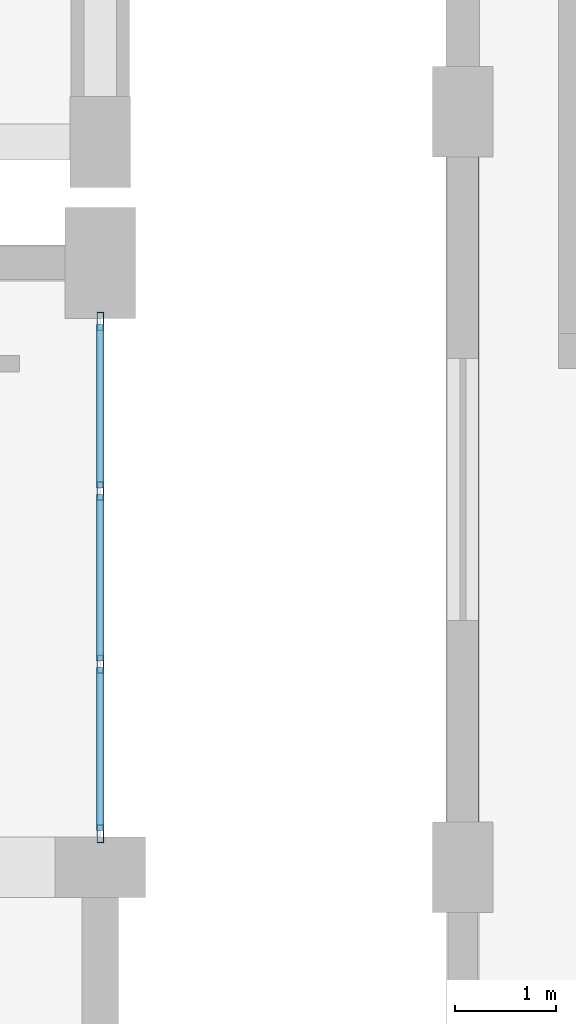
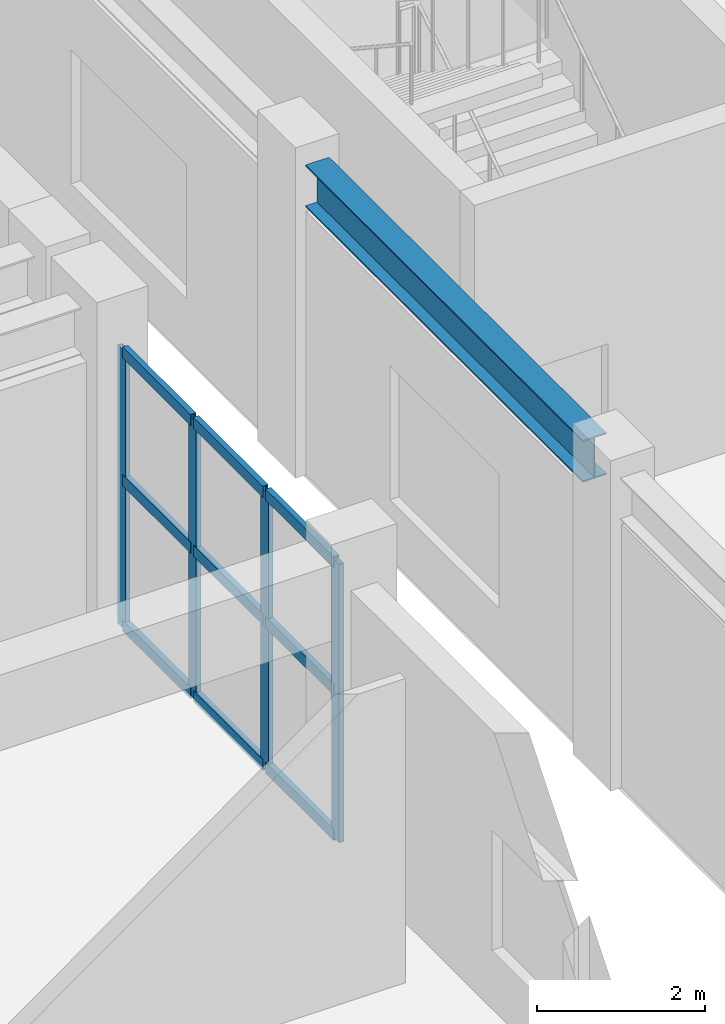
# One storey, part 27 of 62: 13 members, 1 beam, 1 element without a shape of its own.
"""IFC4 building model written with IfcOpenShell, lengths in metres."""

from ifc_helpers import new_model, si_unit, direction, frame, origin, origin_2d, place, context, subcontext, project, spatial, hollow_rectangle, i_section, extrude, material, layer, layer_set, material_profile, profile_set, type_object, element, aggregate, save


model = new_model("IFC4")

# Units and contexts
model_context = context("Model", 3, precision=1e-05, world=origin(), true_north=direction((0.0, 1.0)))
body_context = subcontext(model_context, "Body", "Model", "MODEL_VIEW")
ifc_project = project(units=[si_unit("LENGTHUNIT", "METRE"), si_unit("AREAUNIT", "SQUARE_METRE"), si_unit("VOLUMEUNIT", "CUBIC_METRE"), si_unit("PLANEANGLEUNIT", "RADIAN"), si_unit("MASSUNIT", "GRAM", prefix="KILO")], contexts=[model_context])

# Site, building, storey
site_placement = place(None, origin())
site = spatial("IfcSite", under=ifc_project, at=site_placement, CompositionType="ELEMENT")
building_placement = place(site_placement, origin())
building = spatial("IfcBuilding", under=site, at=building_placement, Name="Vaelkrest Opera House", CompositionType="ELEMENT")
storey_placement = place(building_placement, frame((0.0, 0.0, 19.800048828125)))
storey = spatial("IfcBuildingStorey", under=building, at=storey_placement, Name="L04", CompositionType="ELEMENT", Elevation=19.800048828125)

# Curtain wall, members
ifc_material_1 = material(Name="Dark bronze anodized aluminium", Category="aluminium")
ifc_layer = layer(ifc_material_1, 0.219970703125)
ifc_layer_set = layer_set([ifc_layer], Name="Dark bronze anodized aluminium")
curtain_wall_type = type_object("IfcCurtainWallType", Name="CW05", PredefinedType="NOTDEFINED", material=ifc_layer_set)
curtain_wall_placement = place(storey_placement, origin())
curtain_wall = element("IfcCurtainWall", 1, at=curtain_wall_placement, inside=storey, type_object=curtain_wall_type, Name="Curtain wall CW-L04-064", PredefinedType="NOTDEFINED")
ifc_material_profile_1 = material_profile(ifc_material_1, hollow_rectangle(XDim=0.06494140625, YDim=0.179931640625, WallThickness=0.00390625, at=origin_2d()), Name="CWM65X180")
ifc_profile_set_1 = profile_set([ifc_material_profile_1], Name="Dark bronze anodized aluminium")
member_type_1 = type_object("IfcMemberType", Name="CWM01", PredefinedType="MULLION", material=ifc_profile_set_1)
member_1_placement = place(storey_placement, frame((30.0, 15.619384765625, 0.0), z_axis=(0.0, 0.0, 1.0), x_axis=(1.0, 0.0, 0.0)))
member_1 = element("IfcMember", 2, at=member_1_placement, type_object=member_type_1, Name="CW05 mullion 1", PredefinedType="MULLION", context=body_context, shape_type="SweptSolid", body=[
    extrude(hollow_rectangle(XDim=0.06494140625, YDim=0.179931640625, WallThickness=0.00390625, at=origin_2d()), origin(), (0.0, 0.0, 1.0), 4.04296875),
])
member_2_placement = place(storey_placement, frame((30.0, 13.93408203125, 0.0), z_axis=(0.0, 0.0, 1.0), x_axis=(1.0, 0.0, 0.0)))
member_2 = element("IfcMember", 3, at=member_2_placement, type_object=member_type_1, Name="CW05 mullion 2", PredefinedType="MULLION", context=body_context, shape_type="SweptSolid", body=[
    extrude(hollow_rectangle(XDim=0.06494140625, YDim=0.179931640625, WallThickness=0.00390625, at=origin_2d()), origin(), (0.0, 0.0, 1.0), 4.04296875),
])
member_3_placement = place(storey_placement, frame((30.0, 12.216064453125, 0.0), z_axis=(0.0, 0.0, 1.0), x_axis=(1.0, 0.0, 0.0)))
member_3 = element("IfcMember", 4, at=member_3_placement, type_object=member_type_1, Name="CW05 mullion 3", PredefinedType="MULLION", context=body_context, shape_type="SweptSolid", body=[
    extrude(hollow_rectangle(XDim=0.06494140625, YDim=0.179931640625, WallThickness=0.00390625, at=origin_2d()), origin(), (0.0, 0.0, 1.0), 4.04296875),
])
member_4_placement = place(storey_placement, frame((30.0, 10.530517578125, 0.0), z_axis=(0.0, 0.0, 1.0), x_axis=(1.0, 0.0, 0.0)))
member_4 = element("IfcMember", 5, at=member_4_placement, type_object=member_type_1, Name="CW05 mullion 4", PredefinedType="MULLION", context=body_context, shape_type="SweptSolid", body=[
    extrude(hollow_rectangle(XDim=0.06494140625, YDim=0.179931640625, WallThickness=0.00390625, at=origin_2d()), origin(), (0.0, 0.0, 1.0), 4.04296875),
])
ifc_material_profile_2 = material_profile(ifc_material_1, hollow_rectangle(XDim=0.074951171875, YDim=0.159912109375, WallThickness=0.00439453125, at=origin_2d()), Name="CWT75X160")
ifc_profile_set_2 = profile_set([ifc_material_profile_2], Name="Dark bronze anodized aluminium")
member_type_2 = type_object("IfcMemberType", Name="CWT03", PredefinedType="USERDEFINED", material=ifc_profile_set_2)
member_5_placement = place(storey_placement, frame((30.0, 15.5869140625, 0.037353515625), z_axis=(0.0, -1.0, 0.0), x_axis=(1.0, 0.0, 0.0)))
member_5 = element("IfcMember", 6, at=member_5_placement, type_object=member_type_2, Name="CW05 transom 1.1", ObjectType="TRANSOM", PredefinedType="USERDEFINED", context=body_context, shape_type="SweptSolid", body=[
    extrude(hollow_rectangle(XDim=0.074951171875, YDim=0.159912109375, WallThickness=0.00439453125, at=origin_2d()), origin(), (0.0, 0.0, 1.0), 1.620361328125),
])
member_6_placement = place(storey_placement, frame((30.0, 15.5869140625, 2.14990234375), z_axis=(0.0, -1.0, 0.0), x_axis=(1.0, 0.0, 0.0)))
member_6 = element("IfcMember", 7, at=member_6_placement, type_object=member_type_2, Name="CW05 transom 1.2", ObjectType="TRANSOM", PredefinedType="USERDEFINED", context=body_context, shape_type="SweptSolid", body=[
    extrude(hollow_rectangle(XDim=0.074951171875, YDim=0.159912109375, WallThickness=0.00439453125, at=origin_2d()), origin(), (0.0, 0.0, 1.0), 1.620361328125),
])
member_7_placement = place(storey_placement, frame((30.0, 15.5869140625, 4.00537109375), z_axis=(0.0, -1.0, 0.0), x_axis=(1.0, 0.0, 0.0)))
member_7 = element("IfcMember", 8, at=member_7_placement, type_object=member_type_2, Name="CW05 transom 1.3", ObjectType="TRANSOM", PredefinedType="USERDEFINED", context=body_context, shape_type="SweptSolid", body=[
    extrude(hollow_rectangle(XDim=0.074951171875, YDim=0.159912109375, WallThickness=0.00439453125, at=origin_2d()), origin(), (0.0, 0.0, 1.0), 1.620361328125),
])
member_8_placement = place(storey_placement, frame((30.0, 13.901611328125, 0.037353515625), z_axis=(0.0, -1.0, 0.0), x_axis=(1.0, 0.0, 0.0)))
member_8 = element("IfcMember", 9, at=member_8_placement, type_object=member_type_2, Name="CW05 transom 2.1", ObjectType="TRANSOM", PredefinedType="USERDEFINED", context=body_context, shape_type="SweptSolid", body=[
    extrude(hollow_rectangle(XDim=0.074951171875, YDim=0.159912109375, WallThickness=0.00439453125, at=origin_2d()), origin(), (0.0, 0.0, 1.0), 1.653076171875),
])
member_9_placement = place(storey_placement, frame((30.0, 13.901611328125, 2.14990234375), z_axis=(0.0, -1.0, 0.0), x_axis=(1.0, 0.0, 0.0)))
member_9 = element("IfcMember", 10, at=member_9_placement, type_object=member_type_2, Name="CW05 transom 2.2", ObjectType="TRANSOM", PredefinedType="USERDEFINED", context=body_context, shape_type="SweptSolid", body=[
    extrude(hollow_rectangle(XDim=0.074951171875, YDim=0.159912109375, WallThickness=0.00439453125, at=origin_2d()), origin(), (0.0, 0.0, 1.0), 1.653076171875),
])
member_10_placement = place(storey_placement, frame((30.0, 13.901611328125, 4.00537109375), z_axis=(0.0, -1.0, 0.0), x_axis=(1.0, 0.0, 0.0)))
member_10 = element("IfcMember", 11, at=member_10_placement, type_object=member_type_2, Name="CW05 transom 2.3", ObjectType="TRANSOM", PredefinedType="USERDEFINED", context=body_context, shape_type="SweptSolid", body=[
    extrude(hollow_rectangle(XDim=0.074951171875, YDim=0.159912109375, WallThickness=0.00439453125, at=origin_2d()), origin(), (0.0, 0.0, 1.0), 1.653076171875),
])
member_11_placement = place(storey_placement, frame((30.0, 12.18359375, 0.037353515625), z_axis=(0.0, -1.0, 0.0), x_axis=(1.0, 0.0, 0.0)))
member_11 = element("IfcMember", 12, at=member_11_placement, type_object=member_type_2, Name="CW05 transom 3.1", ObjectType="TRANSOM", PredefinedType="USERDEFINED", context=body_context, shape_type="SweptSolid", body=[
    extrude(hollow_rectangle(XDim=0.074951171875, YDim=0.159912109375, WallThickness=0.00439453125, at=origin_2d()), origin(), (0.0, 0.0, 1.0), 1.62060546875),
])
member_12_placement = place(storey_placement, frame((30.0, 12.18359375, 2.14990234375), z_axis=(0.0, -1.0, 0.0), x_axis=(1.0, 0.0, 0.0)))
member_12 = element("IfcMember", 13, at=member_12_placement, type_object=member_type_2, Name="CW05 transom 3.2", ObjectType="TRANSOM", PredefinedType="USERDEFINED", context=body_context, shape_type="SweptSolid", body=[
    extrude(hollow_rectangle(XDim=0.074951171875, YDim=0.159912109375, WallThickness=0.00439453125, at=origin_2d()), origin(), (0.0, 0.0, 1.0), 1.62060546875),
])
member_13_placement = place(storey_placement, frame((30.0, 12.18359375, 4.00537109375), z_axis=(0.0, -1.0, 0.0), x_axis=(1.0, 0.0, 0.0)))
member_13 = element("IfcMember", 14, at=member_13_placement, type_object=member_type_2, Name="CW05 transom 3.3", ObjectType="TRANSOM", PredefinedType="USERDEFINED", context=body_context, shape_type="SweptSolid", body=[
    extrude(hollow_rectangle(XDim=0.074951171875, YDim=0.159912109375, WallThickness=0.00439453125, at=origin_2d()), origin(), (0.0, 0.0, 1.0), 1.62060546875),
])
aggregate(curtain_wall, [member_1, member_2, member_3, member_4, member_5, member_6, member_7, member_8, member_9, member_10, member_11, member_12, member_13])

# Beam
ifc_material_2 = material(Name="Steel A992 Gr50", Category="steel")
ifc_material_profile_3 = material_profile(ifc_material_2, i_section(OverallWidth=0.323974609375, OverallDepth=0.611083984375, WebThickness=0.0126953125, FlangeThickness=0.01904296875, at=origin_2d()), Name="W24X104")
ifc_profile_set_3 = profile_set([ifc_material_profile_3], Name="Steel A992 Gr50")
beam_type = type_object("IfcBeamType", Name="SP01", PredefinedType="SPANDREL", material=ifc_profile_set_3)
beam_placement = place(storey_placement, frame((33.60009765625, 10.64990234375, 4.199462890625), z_axis=(0.0, 1.0, 0.0), x_axis=(-1.0, 0.0, 0.0)))
element("IfcBeam", 15, at=beam_placement, inside=storey, type_object=beam_type, Name="Beam BM-V4-L04-2417", PredefinedType="SPANDREL", context=body_context, shape_type="SweptSolid", body=[
    extrude(i_section(OverallWidth=0.323974609375, OverallDepth=0.611083984375, WebThickness=0.0126953125, FlangeThickness=0.01904296875, at=origin_2d()), origin(), (0.0, 0.0, 1.0), 6.60009765625),
])

save(model, "model.ifc")
